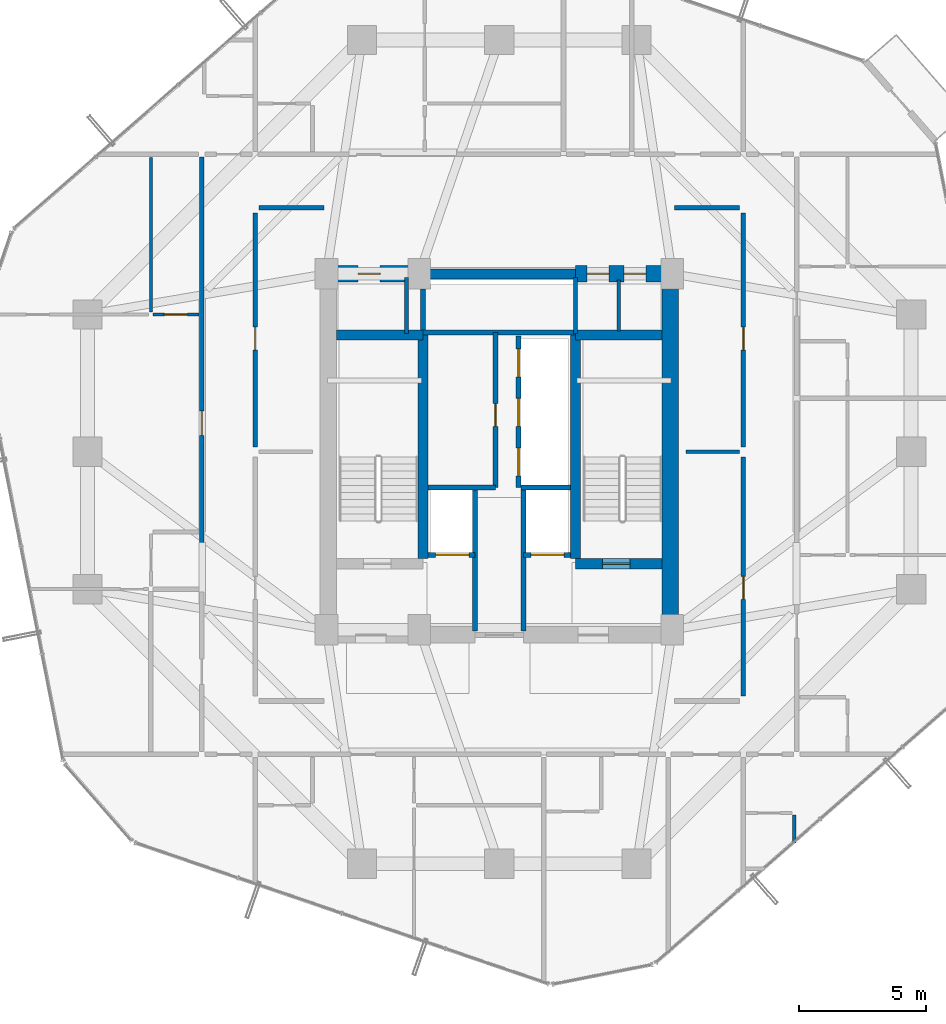
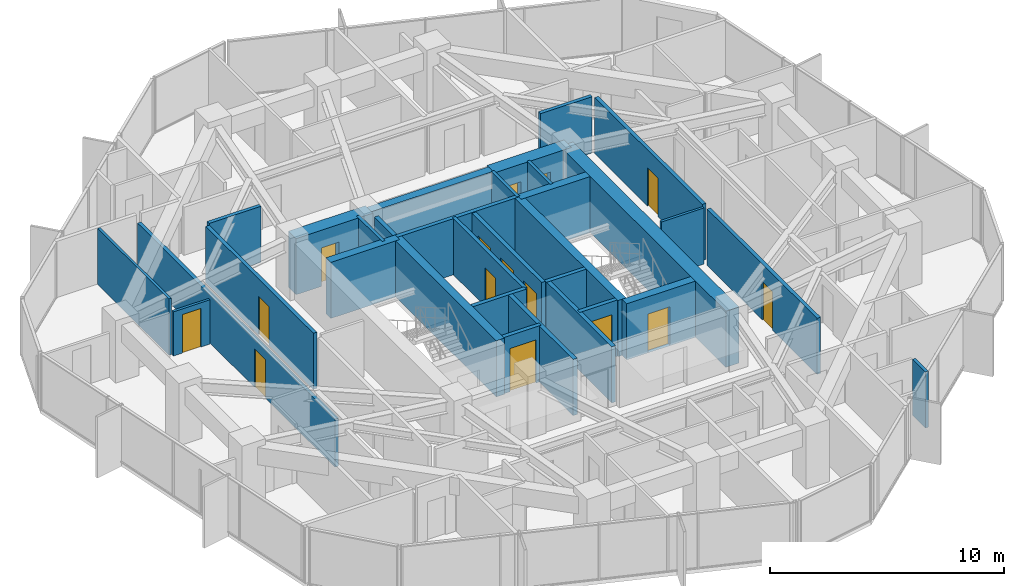
# One storey, part 32 of 36: 32 walls, 15 doors, 15 openings.
"""IFC4 building model written with IfcOpenShell, lengths in metres."""

import ifcopenshell
import ifcopenshell.guid

model = None  # the IFC model being written
_history = None  # IfcOwnerHistory: only IFC2X3 demands one
_inside = {}  # id of a spatial element -> (the spatial element, [elements in it])
_under = {}  # id of a project, library or spatial element -> (it, [spatial elements below it])
_declared = {}  # id of a project -> (the project, [libraries it declares])
_typed = {}  # id of a type object -> (the type object, [elements of that type])
_made_of = {}  # id of a material, layer set ... -> (it, [elements and type objects made of it])


def new_model(schema):
    """Start an empty IFC model of exactly this schema.

    Asked for "IFC4X3", IfcOpenShell would pick the latest addendum, in which some entities
    have other attributes; the version numbers below select the first issue.
    IFC2X3 requires an IfcOwnerHistory on every rooted entity: one is made here for all.
    """
    global model, _history
    if schema == "IFC4X3":
        model = ifcopenshell.file(schema_version=(4, 3, 0, 0))
    else:
        model = ifcopenshell.file(schema=schema)
    _inside.clear()
    _under.clear()
    _declared.clear()
    _typed.clear()
    _made_of.clear()
    _history = None
    if model.schema == "IFC2X3":
        org = make("IfcOrganization", Name="unknown")
        user = make(
            "IfcPersonAndOrganization",
            ThePerson=make("IfcPerson", FamilyName="unknown"),
            TheOrganization=org,
        )
        app = make(
            "IfcApplication",
            ApplicationDeveloper=org,
            Version="unknown",
            ApplicationFullName="unknown",
            ApplicationIdentifier="unknown",
        )
        _history = make(
            "IfcOwnerHistory",
            OwningUser=user,
            OwningApplication=app,
            ChangeAction="ADDED",
            CreationDate=0,
        )
    return model


def make(cls, **values):
    """One entity of the class cls with the attributes given. An attribute that is None is left unset."""
    return model.create_entity(
        cls, **{name: value for name, value in values.items() if value is not None}
    )


def rooted(cls, **values):
    """An entity with a GlobalId (a new one), such as an element, a storey or a relation."""
    return make(cls, GlobalId=ifcopenshell.guid.new(), OwnerHistory=_history, **values)


def si_unit(unit_type, name, prefix=None):
    """IfcSIUnit, for example si_unit("LENGTHUNIT", "METRE", prefix="MILLI")."""
    return make("IfcSIUnit", UnitType=unit_type, Prefix=prefix, Name=name)


def assignment(units):
    """IfcUnitAssignment: the units of a project."""
    return None if units is None else make("IfcUnitAssignment", Units=units)


def point(xyz):
    """IfcCartesianPoint."""
    return None if xyz is None else make("IfcCartesianPoint", Coordinates=xyz)


def direction(xyz):
    """IfcDirection."""
    return None if xyz is None else make("IfcDirection", DirectionRatios=xyz)


def frame(location, z_axis=None, x_axis=None):
    """IfcAxis2Placement3D, a coordinate frame: its origin and axes. An axis left out is left unset."""
    return make(
        "IfcAxis2Placement3D",
        Location=point(location),
        Axis=direction(z_axis),
        RefDirection=direction(x_axis),
    )


def frame_2d(location, x_axis=None):
    """IfcAxis2Placement2D, a coordinate frame in the plane: its origin and x axis."""
    return make(
        "IfcAxis2Placement2D", Location=point(location), RefDirection=direction(x_axis)
    )


def origin():
    """The frame at (0, 0, 0) with its axes left unset."""
    return frame((0.0, 0.0, 0.0))


def place(relative_to, where):
    """IfcLocalPlacement: puts the frame where relative to a parent placement (None: the world)."""
    return make(
        "IfcLocalPlacement", PlacementRelTo=relative_to, RelativePlacement=where
    )


def context(
    kind, dimensions, precision=None, world=None, true_north=None, identifier=None
):
    """IfcGeometricRepresentationContext, for example the 3D "Model" context."""
    return make(
        "IfcGeometricRepresentationContext",
        ContextIdentifier=identifier,
        ContextType=kind,
        CoordinateSpaceDimension=dimensions,
        Precision=precision,
        WorldCoordinateSystem=world,
        TrueNorth=true_north,
    )


def subcontext(parent, identifier, kind, view, scale=None):
    """IfcGeometricRepresentationSubContext, for example "Body" below "Model"."""
    return make(
        "IfcGeometricRepresentationSubContext",
        ContextIdentifier=identifier,
        ContextType=kind,
        ParentContext=parent,
        TargetScale=scale,
        TargetView=view,
    )


def project(units=None, contexts=None):
    """IfcProject with its units and contexts."""
    return rooted(
        "IfcProject",
        Name="project",
        RepresentationContexts=contexts,
        UnitsInContext=assignment(units),
    )


def spatial(cls, under=None, at=None, **own):
    """A site, building, storey or space (cls), placed at a placement, below another one or the project."""
    s = rooted(cls, ObjectPlacement=at, **own)
    if under is not None:
        _under.setdefault(under.id(), (under, []))[1].append(s)
    return s


def profile(cls, at=None, kind="AREA", **sizes):
    """A parametric profile (cls). Its sizes go by their IFC names, for example OverallWidth=200.0."""
    return make(cls, ProfileType=kind, Position=at, **sizes)


def rectangle(**sizes):
    """IfcRectangleProfileDef."""
    return profile("IfcRectangleProfileDef", **sizes)


def extrude(swept, where, along, depth):
    """IfcExtrudedAreaSolid: the profile swept, set in the frame where, extruded along a direction by depth."""
    return make(
        "IfcExtrudedAreaSolid",
        SweptArea=swept,
        Position=where,
        ExtrudedDirection=direction(along),
        Depth=depth,
    )


def shape(context_of_items, identifier, shape_type, items):
    """IfcShapeRepresentation: the items that make up one representation, for example the "Body"."""
    return make(
        "IfcShapeRepresentation",
        ContextOfItems=context_of_items,
        RepresentationIdentifier=identifier,
        RepresentationType=shape_type,
        Items=items,
    )


def source(mapping_origin, context_of_items, identifier, shape_type, items):
    """IfcRepresentationMap: a shape defined once, which mapped items show again and again."""
    return make(
        "IfcRepresentationMap",
        MappingOrigin=mapping_origin,
        MappedRepresentation=shape(context_of_items, identifier, shape_type, items),
    )


def transform(
    local_origin,
    x_axis=None,
    y_axis=None,
    z_axis=None,
    scale=None,
    scale2=None,
    scale3=None,
    uniform=True,
):
    """IfcCartesianTransformationOperator3D, or its non-uniform kind. x_axis, y_axis, z_axis: its Axis1, 2, 3."""
    if uniform:
        return make(
            "IfcCartesianTransformationOperator3D",
            Axis1=direction(x_axis),
            Axis2=direction(y_axis),
            LocalOrigin=point(local_origin),
            Scale=scale,
            Axis3=direction(z_axis),
        )
    return make(
        "IfcCartesianTransformationOperator3DnonUniform",
        Axis1=direction(x_axis),
        Axis2=direction(y_axis),
        LocalOrigin=point(local_origin),
        Scale=scale,
        Axis3=direction(z_axis),
        Scale2=scale2,
        Scale3=scale3,
    )


def mapped(mapping_source, mapping_target):
    """IfcMappedItem: shows the shape of a source again, moved by a transform."""
    return make(
        "IfcMappedItem", MappingSource=mapping_source, MappingTarget=mapping_target
    )


def material(Name=None, Category=None):
    """IfcMaterial."""
    return make("IfcMaterial", Name=Name, Category=Category)


def layer(
    of_material, thickness, ventilated=None, Name=None, Category=None, Priority=None
):
    """IfcMaterialLayer: one layer of a wall or slab, of a material (None: an air gap)."""
    return make(
        "IfcMaterialLayer",
        Material=of_material,
        LayerThickness=thickness,
        IsVentilated=ventilated,
        Name=Name,
        Category=Category,
        Priority=Priority,
    )


def layer_set(layers, Name=None):
    """IfcMaterialLayerSet."""
    return make("IfcMaterialLayerSet", MaterialLayers=layers, LayerSetName=Name)


def made_of(thing, what):
    """Note that an element or type object is made of a material, layer set ...; save() writes the relation."""
    if what is not None:
        _made_of.setdefault(what.id(), (what, []))[1].append(thing)
    return thing


def type_object(cls, material=None, **own):
    """A type object (cls), such as IfcWallType, which elements share."""
    return made_of(rooted(cls, **own), material)


def element(
    cls,
    number,
    at=None,
    inside=None,
    cuts=None,
    type_object=None,
    material=None,
    context=None,
    identifier="Body",
    shape_type=None,
    held_by="IfcProductDefinitionShape",
    body=None,
    shapes=None,
    **own,
):
    """One element of the class cls, such as IfcWall. Its Tag is "e" and its number.

    at: its placement. inside: the storey or other place that contains it. cuts: it is an
    opening in that element (IfcRelVoidsElement). A single representation is given by context,
    identifier, shape_type and body (its items); several are given by shapes. held_by: the class
    of the entity that holds the representations. save() writes the other relations.
    """
    e = rooted(cls, Tag="e%d" % number, ObjectPlacement=at, **own)
    if body is not None:
        shapes = [shape(context, identifier, shape_type, body)]
    if shapes is not None:
        e.Representation = make(held_by, Representations=shapes)
    if inside is not None:
        _inside.setdefault(inside.id(), (inside, []))[1].append(e)
    if cuts is not None:
        rooted(
            "IfcRelVoidsElement", RelatingBuildingElement=cuts, RelatedOpeningElement=e
        )
    if type_object is not None:
        _typed.setdefault(type_object.id(), (type_object, []))[1].append(e)
    return made_of(e, material)


def fill(opening, filler):
    """IfcRelFillsElement: the door or window that sits in an opening."""
    return rooted(
        "IfcRelFillsElement",
        RelatingOpeningElement=opening,
        RelatedBuildingElement=filler,
    )


def aggregate(whole, parts):
    """IfcRelAggregates: a whole, such as a stair, and the parts it consists of."""
    return rooted("IfcRelAggregates", RelatingObject=whole, RelatedObjects=parts)


def save(model, path):
    """Write the relations noted so far, then the file.

    IfcRelAggregates (storeys below a building ...), IfcRelContainedInSpatialStructure (elements
    in a storey), IfcRelDefinesByType, IfcRelAssociatesMaterial and IfcRelDeclares: one each for
    every whole, place, type object, material and project.
    """
    for whole, parts in _under.values():
        aggregate(whole, parts)
    for where, things in _inside.values():
        rooted(
            "IfcRelContainedInSpatialStructure",
            RelatedElements=things,
            RelatingStructure=where,
        )
    for kind, things in _typed.values():
        rooted("IfcRelDefinesByType", RelatedObjects=things, RelatingType=kind)
    for what, things in _made_of.values():
        rooted("IfcRelAssociatesMaterial", RelatedObjects=things, RelatingMaterial=what)
    for by, libraries in _declared.values():
        rooted("IfcRelDeclares", RelatingContext=by, RelatedDefinitions=libraries)
    model.write(path)


model = new_model("IFC4")

# Units and contexts
model_context = context("Model", 3, precision=1e-05, world=origin(), true_north=direction((0.0, 1.0)))
body_context = subcontext(model_context, "Body", "Model", "MODEL_VIEW")
ifc_project = project(units=[si_unit("LENGTHUNIT", "METRE"), si_unit("AREAUNIT", "SQUARE_METRE"), si_unit("VOLUMEUNIT", "CUBIC_METRE"), si_unit("PLANEANGLEUNIT", "RADIAN"), si_unit("MASSUNIT", "GRAM", prefix="KILO")], contexts=[model_context])

# Site, building, storey
site_placement = place(None, origin())
site = spatial("IfcSite", under=ifc_project, at=site_placement, CompositionType="ELEMENT")
building_placement = place(site_placement, origin())
building = spatial("IfcBuilding", under=site, at=building_placement, Name="Veraguas Prism Commons", CompositionType="ELEMENT")
storey_placement = place(building_placement, frame((0.0, 0.0, 166.300048828125)))
storey = spatial("IfcBuildingStorey", under=building, at=storey_placement, Name="L47", CompositionType="ELEMENT", Elevation=166.300048828125)

# Wall
ifc_material_1 = material(Name="Concrete C50/60", Category="concrete")
ifc_layer_1 = layer(ifc_material_1, 0.39990234375, Name="Clinic and Mid Core Shear Wall RC 400", Category="concrete")
ifc_layer_set_1 = layer_set([ifc_layer_1], Name="Concrete C50/60")
wall_type_1 = type_object("IfcWallType", Name="Clinic and Mid Core Shear Wall RC 400", PredefinedType="SHEAR", material=ifc_layer_set_1)
wall_1_placement = place(storey_placement, frame((21.0, 31.0, 0.0), z_axis=(0.0, 0.0, 1.0), x_axis=(1.0, 0.0, 0.0)))
element("IfcWall", 1, at=wall_1_placement, inside=storey, type_object=wall_type_1, Name="High-Rise Lift Bank Front Shear Wall L47", PredefinedType="SHEAR", context=body_context, shape_type="SweptSolid", body=[
    extrude(rectangle(XDim=6.0, YDim=0.39990234375, at=frame_2d((3.0, 0.0))), origin(), (0.0, 0.0, 1.0), 2.929931640625),
])

# Wall, opening, door
wall_2_placement = place(storey_placement, frame((27.0, 19.60009765625, 0.0), z_axis=(0.0, 0.0, 1.0), x_axis=(1.0, 0.0, 0.0)))
wall_2 = element("IfcWall", 2, at=wall_2_placement, inside=storey, type_object=wall_type_1, Name="Stair ST-02 South Shear Wall L47", PredefinedType="SHEAR", context=body_context, shape_type="SweptSolid", body=[
    extrude(rectangle(XDim=3.39990234375, YDim=0.39990234375, at=frame_2d((1.699951171875, 0.0))), origin(), (0.0, 0.0, 1.0), 2.929931640625),
])
opening_1_placement = place(wall_2_placement, frame((1.050048828125, 0.0, 0.0)))
opening_1 = element("IfcOpeningElement", 3, at=opening_1_placement, cuts=wall_2, Name="Opening DR-05", PredefinedType="OPENING", context=body_context, shape_type="SweptSolid", body=[
    extrude(rectangle(XDim=1.10009765625, YDim=2.030029296875, at=frame_2d((0.550048828125, 1.01513671875))), frame((0.0, 0.2099609375, 0.0), z_axis=(0.0, -1.0, 0.0), x_axis=(1.0, 0.0, 0.0)), (0.0, 0.0, 1.0), 0.419921875),
])
ifc_material_2 = material(Name="Steel fire-rated door assembly", Category="steel")
door_type_1 = type_object("IfcDoorType", Name="Protected Stair and Refuge Fire Door 1100x2030", OperationType="NOTDEFINED", PredefinedType="DOOR", material=ifc_material_2)
shared_shape_1 = source(origin(), body_context, "Body", "SweptSolid", [
    extrude(rectangle(XDim=1.10009765625, YDim=2.030029296875, at=frame_2d((0.550048828125, 1.01513671875))), frame((0.0, 0.02490234375, 0.0), z_axis=(0.0, -1.0, 0.0), x_axis=(1.0, 0.0, 0.0)), (0.0, 0.0, 1.0), 0.050048828125),
])
door_1_placement = place(opening_1_placement, origin())
door_1 = element("IfcDoor", 4, at=door_1_placement, inside=storey, type_object=door_type_1, Name="Stair ST-02 Enclosure Door L47", OperationType="SINGLE_SWING_LEFT", OverallHeight=2.030029296875, OverallWidth=1.10009765625, PredefinedType="DOOR", context=body_context, shape_type="MappedRepresentation", body=[
    mapped(shared_shape_1, transform((0.0, 0.0, 0.0), scale=1.0)),
])
fill(opening_1, door_1)

# Walls
for number, where, z_axis, x_axis, name in (
    (5, (21.0, 19.800048828125, 0.0), (0.0, 0.0, 1.0), (0.0, 1.0, 0.0), "Stair ST-01 Inner Shear Wall L47"),
    (6, (27.0, 19.800048828125, 0.0), (0.0, 0.0, 1.0), (0.0, 1.0, 0.0), "Stair ST-02 Inner Shear Wall L47"),
):
    element("IfcWall", number, at=place(storey_placement, frame(where, z_axis=z_axis, x_axis=x_axis)), inside=storey, type_object=wall_type_1, Name=name, PredefinedType="SHEAR", context=body_context, shape_type="SweptSolid", body=[
        extrude(rectangle(XDim=8.800048828125, YDim=0.39990234375, at=frame_2d((4.39990234375, 0.0))), origin(), (0.0, 0.0, 1.0), 2.929931640625),
    ])
for number, where, z_axis, x_axis, name in (
    (7, (17.60009765625, 28.60009765625, 0.0), (0.0, 0.0, 1.0), (1.0, 0.0, 0.0), "Stair ST-01 North Shear Wall L47"),
    (8, (27.0, 28.60009765625, 0.0), (0.0, 0.0, 1.0), (1.0, 0.0, 0.0), "Stair ST-02 North Shear Wall L47"),
):
    element("IfcWall", number, at=place(storey_placement, frame(where, z_axis=z_axis, x_axis=x_axis)), inside=storey, type_object=wall_type_1, Name=name, PredefinedType="SHEAR", context=body_context, shape_type="SweptSolid", body=[
        extrude(rectangle(XDim=3.39990234375, YDim=0.39990234375, at=frame_2d((1.699951171875, 0.0))), origin(), (0.0, 0.0, 1.0), 2.929931640625),
    ])
ifc_material_3 = material(Name="Concrete C55/67", Category="concrete")
ifc_layer_2 = layer(ifc_material_3, 0.64990234375, Name="Core Outer Shear Wall Mid RC 650", Category="concrete")
ifc_layer_set_2 = layer_set([ifc_layer_2], Name="Concrete C55/67")
wall_type_2 = type_object("IfcWallType", Name="Core Outer Shear Wall Mid RC 650", PredefinedType="SHEAR", material=ifc_layer_set_2)
wall_3_placement = place(storey_placement, frame((30.72509765625, 16.800048828125, 0.0), z_axis=(0.0, 0.0, 1.0), x_axis=(0.0, 1.0, 0.0)))
element("IfcWall", 9, at=wall_3_placement, inside=storey, type_object=wall_type_2, Name="Central Core East Shear Wall L47", PredefinedType="SHEAR", context=body_context, shape_type="SweptSolid", body=[
    extrude(rectangle(XDim=14.199951171875, YDim=0.64990234375, at=frame_2d((7.10009765625, 0.0))), origin(), (0.0, 0.0, 1.0), 2.929931640625),
])

# Wall, opening, door
wall_4_placement = place(storey_placement, frame((17.199951171875, 31.0, 0.0), z_axis=(0.0, 0.0, 1.0), x_axis=(1.0, 0.0, 0.0)))
wall_4 = element("IfcWall", 10, at=wall_4_placement, inside=storey, type_object=wall_type_2, Name="Central Core North-West Shear Wall L47", PredefinedType="SHEAR", context=body_context, shape_type="SweptSolid", body=[
    extrude(rectangle(XDim=3.800048828125, YDim=0.64990234375, at=frame_2d((1.89990234375, 0.0))), origin(), (0.0, 0.0, 1.0), 2.929931640625),
])
opening_2_placement = place(wall_4_placement, frame((1.25, 0.0, 0.0)))
opening_2 = element("IfcOpeningElement", 11, at=opening_2_placement, cuts=wall_4, Name="Opening DR-12", PredefinedType="OPENING", context=body_context, shape_type="SweptSolid", body=[
    extrude(rectangle(XDim=0.860107421875, YDim=2.010009765625, at=frame_2d((0.43017578125, 1.0048828125))), frame((0.0, 0.3349609375, 0.0), z_axis=(0.0, -1.0, 0.0), x_axis=(1.0, 0.0, 0.0)), (0.0, 0.0, 1.0), 0.669921875),
])
door_type_2 = type_object("IfcDoorType", Name="Core WC Fire Door 860x2010", OperationType="NOTDEFINED", PredefinedType="DOOR", material=ifc_material_2)
shared_shape_2 = source(origin(), body_context, "Body", "SweptSolid", [
    extrude(rectangle(XDim=0.860107421875, YDim=2.010009765625, at=frame_2d((0.43017578125, 1.0048828125))), frame((0.0, 0.02490234375, 0.0), z_axis=(0.0, -1.0, 0.0), x_axis=(1.0, 0.0, 0.0)), (0.0, 0.0, 1.0), 0.050048828125),
])
door_2_placement = place(opening_2_placement, origin())
door_2 = element("IfcDoor", 12, at=door_2_placement, inside=storey, type_object=door_type_2, Name="Core NW Service Door L47", OperationType="SINGLE_SWING_LEFT", OverallHeight=2.010009765625, OverallWidth=0.860107421875, PredefinedType="DOOR", context=body_context, shape_type="MappedRepresentation", body=[
    mapped(shared_shape_2, transform((0.0, 0.0, 0.0), scale=1.0)),
])
fill(opening_2, door_2)

# Wall, openings, doors
wall_5_placement = place(storey_placement, frame((27.0, 31.0, 0.0), z_axis=(0.0, 0.0, 1.0), x_axis=(1.0, 0.0, 0.0)))
wall_5 = element("IfcWall", 13, at=wall_5_placement, inside=storey, type_object=wall_type_2, Name="Central Core North-East Shear Wall L47", PredefinedType="SHEAR", context=body_context, shape_type="SweptSolid", body=[
    extrude(rectangle(XDim=3.800048828125, YDim=0.64990234375, at=frame_2d((1.89990234375, 0.0))), origin(), (0.0, 0.0, 1.0), 2.929931640625),
])
opening_3_placement = place(wall_5_placement, frame((0.449951171875, 0.0, 0.0)))
opening_3 = element("IfcOpeningElement", 14, at=opening_3_placement, cuts=wall_5, Name="Opening DR-12", PredefinedType="OPENING", context=body_context, shape_type="SweptSolid", body=[
    extrude(rectangle(XDim=0.860107421875, YDim=2.010009765625, at=frame_2d((0.43017578125, 1.0048828125))), frame((0.0, 0.3349609375, 0.0), z_axis=(0.0, -1.0, 0.0), x_axis=(1.0, 0.0, 0.0)), (0.0, 0.0, 1.0), 0.669921875),
])
opening_4_placement = place(wall_5_placement, frame((1.89990234375, 0.0, 0.0)))
opening_4 = element("IfcOpeningElement", 15, at=opening_4_placement, cuts=wall_5, Name="Opening DR-12", PredefinedType="OPENING", context=body_context, shape_type="SweptSolid", body=[
    extrude(rectangle(XDim=0.860107421875, YDim=2.010009765625, at=frame_2d((0.43017578125, 1.0048828125))), frame((0.0, 0.3349609375, 0.0), z_axis=(0.0, -1.0, 0.0), x_axis=(1.0, 0.0, 0.0)), (0.0, 0.0, 1.0), 0.669921875),
])
door_3_placement = place(opening_3_placement, origin())
door_3 = element("IfcDoor", 16, at=door_3_placement, inside=storey, type_object=door_type_2, Name="Core NE Room A Door L47", OperationType="SINGLE_SWING_RIGHT", OverallHeight=2.010009765625, OverallWidth=0.860107421875, PredefinedType="DOOR", context=body_context, shape_type="MappedRepresentation", body=[
    mapped(shared_shape_2, transform((0.0, 0.0, 0.0), scale=1.0)),
])
fill(opening_3, door_3)
door_4_placement = place(opening_4_placement, origin())
door_4 = element("IfcDoor", 17, at=door_4_placement, inside=storey, type_object=door_type_2, Name="Core NE Room B Door L47", OperationType="SINGLE_SWING_LEFT", OverallHeight=2.010009765625, OverallWidth=0.860107421875, PredefinedType="DOOR", context=body_context, shape_type="MappedRepresentation", body=[
    mapped(shared_shape_2, transform((0.0, 0.0, 0.0), scale=1.0)),
])
fill(opening_4, door_4)

# Wall, opening, door
ifc_material_4 = material(Name="Autoclaved aerated masonry block 10 MPa", Category="masonry")
ifc_layer_3 = layer(ifc_material_4, 0.179931640625, Name="Corridor and Inter-Tenancy Partition 180", Category="masonry")
ifc_layer_set_3 = layer_set([ifc_layer_3], Name="Autoclaved aerated masonry block 10 MPa")
wall_type_3 = type_object("IfcWallType", Name="Corridor and Inter-Tenancy Partition 180", PredefinedType="PARTITIONING", material=ifc_layer_set_3)
wall_6_placement = place(storey_placement, frame((23.85009765625, 22.60009765625, 0.0), z_axis=(0.0, 0.0, 1.0), x_axis=(0.0, 1.0, 0.0)))
wall_6 = element("IfcWall", 18, at=wall_6_placement, inside=storey, type_object=wall_type_3, Name="Reading Room Partition L47", PredefinedType="PARTITIONING", context=body_context, shape_type="SweptSolid", body=[
    extrude(rectangle(XDim=6.099853515625, YDim=0.179931640625, at=frame_2d((3.0498046875, 0.0))), origin(), (0.0, 0.0, 1.0), 2.929931640625),
])
opening_5_placement = place(wall_6_placement, frame((2.39990234375, 0.0, 0.0)))
opening_5 = element("IfcOpeningElement", 19, at=opening_5_placement, cuts=wall_6, Name="Opening DR-14", PredefinedType="OPENING", context=body_context, shape_type="SweptSolid", body=[
    extrude(rectangle(XDim=0.89990234375, YDim=2.010009765625, at=frame_2d((0.449951171875, 1.0048828125))), frame((0.0, 0.099853515625, 0.0), z_axis=(0.0, -1.0, 0.0), x_axis=(1.0, 0.0, 0.0)), (0.0, 0.0, 1.0), 0.199951171875),
])
door_type_3 = type_object("IfcDoorType", Name="Core Service Room Fire Door 900x2010", OperationType="NOTDEFINED", PredefinedType="DOOR", material=ifc_material_2)
shared_shape_3 = source(origin(), body_context, "Body", "SweptSolid", [
    extrude(rectangle(XDim=0.89990234375, YDim=2.010009765625, at=frame_2d((0.449951171875, 1.0048828125))), frame((0.0, 0.02490234375, 0.0), z_axis=(0.0, -1.0, 0.0), x_axis=(1.0, 0.0, 0.0)), (0.0, 0.0, 1.0), 0.050048828125),
])
door_5_placement = place(opening_5_placement, origin())
door_5 = element("IfcDoor", 20, at=door_5_placement, inside=storey, type_object=door_type_3, Name="Reading Room Door L47", OperationType="SINGLE_SWING_RIGHT", OverallHeight=2.010009765625, OverallWidth=0.89990234375, PredefinedType="DOOR", context=body_context, shape_type="MappedRepresentation", body=[
    mapped(shared_shape_3, transform((0.0, 0.0, 0.0), scale=1.0)),
])
fill(opening_5, door_5)

wall_7_placement = place(storey_placement, frame((14.39990234375, 24.199951171875, 0.0), z_axis=(0.0, 0.0, 1.0), x_axis=(0.0, 1.0, 0.0)))
wall_7 = element("IfcWall", 21, at=wall_7_placement, inside=storey, type_object=wall_type_3, Name="WL-L47-IRW2", PredefinedType="PARTITIONING", context=body_context, shape_type="SweptSolid", body=[
    extrude(rectangle(XDim=9.199951171875, YDim=0.179931640625, at=frame_2d((4.60009765625, 0.0))), origin(), (0.0, 0.0, 1.0), 2.929931640625),
])
opening_6_placement = place(wall_7_placement, frame((3.800048828125, 0.0, 0.0)))
opening_6 = element("IfcOpeningElement", 22, at=opening_6_placement, cuts=wall_7, Name="Opening DR-14", PredefinedType="OPENING", context=body_context, shape_type="SweptSolid", body=[
    extrude(rectangle(XDim=0.89990234375, YDim=2.010009765625, at=frame_2d((0.449951171875, 1.0048828125))), frame((0.0, 0.099853515625, 0.0), z_axis=(0.0, -1.0, 0.0), x_axis=(1.0, 0.0, 0.0)), (0.0, 0.0, 1.0), 0.199951171875),
])
door_6_placement = place(opening_6_placement, origin())
door_6 = element("IfcDoor", 23, at=door_6_placement, inside=storey, type_object=door_type_3, Name="Co-op Cycle and Pram Store Door L47", OperationType="SINGLE_SWING_RIGHT", OverallHeight=2.010009765625, OverallWidth=0.89990234375, PredefinedType="DOOR", context=body_context, shape_type="MappedRepresentation", body=[
    mapped(shared_shape_3, transform((0.0, 0.0, 0.0), scale=1.0)),
])
fill(opening_6, door_6)

wall_8_placement = place(storey_placement, frame((33.60009765625, 14.39990234375, 0.0), z_axis=(0.0, 0.0, 1.0), x_axis=(0.0, 1.0, 0.0)))
wall_8 = element("IfcWall", 24, at=wall_8_placement, inside=storey, type_object=wall_type_3, Name="WL-L47-IRE1", PredefinedType="PARTITIONING", context=body_context, shape_type="SweptSolid", body=[
    extrude(rectangle(XDim=9.400146484375, YDim=0.179931640625, at=frame_2d((4.7001953125, 0.0))), origin(), (0.0, 0.0, 1.0), 2.929931640625),
])
opening_7_placement = place(wall_8_placement, frame((3.800048828125, 0.0, 0.0)))
opening_7 = element("IfcOpeningElement", 25, at=opening_7_placement, cuts=wall_8, Name="Opening DR-14", PredefinedType="OPENING", context=body_context, shape_type="SweptSolid", body=[
    extrude(rectangle(XDim=0.89990234375, YDim=2.010009765625, at=frame_2d((0.449951171875, 1.0048828125))), frame((0.0, 0.099853515625, 0.0), z_axis=(0.0, -1.0, 0.0), x_axis=(1.0, 0.0, 0.0)), (0.0, 0.0, 1.0), 0.199951171875),
])
door_7_placement = place(opening_7_placement, origin())
door_7 = element("IfcDoor", 26, at=door_7_placement, inside=storey, type_object=door_type_3, Name="Shared Laundry Annex Door L47", OperationType="SINGLE_SWING_LEFT", OverallHeight=2.010009765625, OverallWidth=0.89990234375, PredefinedType="DOOR", context=body_context, shape_type="MappedRepresentation", body=[
    mapped(shared_shape_3, transform((0.0, 0.0, 0.0), scale=1.0)),
])
fill(opening_7, door_7)

wall_9_placement = place(storey_placement, frame((33.60009765625, 24.199951171875, 0.0), z_axis=(0.0, 0.0, 1.0), x_axis=(0.0, 1.0, 0.0)))
wall_9 = element("IfcWall", 27, at=wall_9_placement, inside=storey, type_object=wall_type_3, Name="WL-L47-IRE2", PredefinedType="PARTITIONING", context=body_context, shape_type="SweptSolid", body=[
    extrude(rectangle(XDim=9.199951171875, YDim=0.179931640625, at=frame_2d((4.60009765625, 0.0))), origin(), (0.0, 0.0, 1.0), 2.929931640625),
])
opening_8_placement = place(wall_9_placement, frame((3.800048828125, 0.0, 0.0)))
opening_8 = element("IfcOpeningElement", 28, at=opening_8_placement, cuts=wall_9, Name="Opening DR-14", PredefinedType="OPENING", context=body_context, shape_type="SweptSolid", body=[
    extrude(rectangle(XDim=0.89990234375, YDim=2.010009765625, at=frame_2d((0.449951171875, 1.0048828125))), frame((0.0, 0.099853515625, 0.0), z_axis=(0.0, -1.0, 0.0), x_axis=(1.0, 0.0, 0.0)), (0.0, 0.0, 1.0), 0.199951171875),
])
door_8_placement = place(opening_8_placement, origin())
door_8 = element("IfcDoor", 29, at=door_8_placement, inside=storey, type_object=door_type_3, Name="Community Reading Alcove Door L47", OperationType="SINGLE_SWING_RIGHT", OverallHeight=2.010009765625, OverallWidth=0.89990234375, PredefinedType="DOOR", context=body_context, shape_type="MappedRepresentation", body=[
    mapped(shared_shape_3, transform((0.0, 0.0, 0.0), scale=1.0)),
])
fill(opening_8, door_8)

# Walls
for number, where, z_axis, x_axis, name in (
    (30, (14.550048828125, 33.60009765625, 0.0), (0.0, 0.0, 1.0), (1.0, 0.0, 0.0), "WL-L47-IRWN"),
    (31, (30.89990234375, 33.60009765625, 0.0), (0.0, 0.0, 1.0), (1.0, 0.0, 0.0), "WL-L47-IREN"),
):
    element("IfcWall", number, at=place(storey_placement, frame(where, z_axis=z_axis, x_axis=x_axis)), inside=storey, type_object=wall_type_3, Name=name, PredefinedType="PARTITIONING", context=body_context, shape_type="SweptSolid", body=[
        extrude(rectangle(XDim=2.550048828125, YDim=0.179931640625, at=frame_2d((1.27490234375, 0.0))), origin(), (0.0, 0.0, 1.0), 2.929931640625),
    ])

# Wall, opening, door
wall_10_placement = place(storey_placement, frame((12.300048828125, 18.7099609375, 0.0), z_axis=(0.0, 0.0, 1.0), x_axis=(0.0, 1.0, 0.0)))
wall_10 = element("IfcWall", 32, at=wall_10_placement, inside=storey, type_object=wall_type_3, Name="WL-L47-PT030", PredefinedType="PARTITIONING", context=body_context, shape_type="SweptSolid", body=[
    extrude(rectangle(XDim=16.880126953125, YDim=0.179931640625, at=frame_2d((8.43994140625, 0.0))), origin(), (0.0, 0.0, 1.0), 2.510009765625),
])
opening_9_placement = place(wall_10_placement, frame((5.93994140625, 0.0, 0.0)))
opening_9 = element("IfcOpeningElement", 33, at=opening_9_placement, cuts=wall_10, Name="Opening DR-01", PredefinedType="OPENING", context=body_context, shape_type="SweptSolid", body=[
    extrude(rectangle(XDim=0.949951171875, YDim=2.02001953125, at=frame_2d((0.47509765625, 1.010009765625))), frame((0.0, 0.099853515625, 0.0), z_axis=(0.0, -1.0, 0.0), x_axis=(1.0, 0.0, 0.0)), (0.0, 0.0, 1.0), 0.199951171875),
])
ifc_material_5 = material(Name="Anodised aluminium EN AW-6063 T6", Category="aluminium")
door_type_4 = type_object("IfcDoorType", Name="Apartment Entrance Fire Door 950x2020", OperationType="NOTDEFINED", PredefinedType="DOOR", material=ifc_material_5)
shared_shape_4 = source(origin(), body_context, "Body", "SweptSolid", [
    extrude(rectangle(XDim=0.949951171875, YDim=2.02001953125, at=frame_2d((0.47509765625, 1.010009765625))), frame((0.0, 0.02490234375, 0.0), z_axis=(0.0, -1.0, 0.0), x_axis=(1.0, 0.0, 0.0)), (0.0, 0.0, 1.0), 0.050048828125),
])
door_9_placement = place(opening_9_placement, origin())
door_9 = element("IfcDoor", 34, at=door_9_placement, inside=storey, type_object=door_type_4, Name="Flat 47D Entrance Door", OperationType="SINGLE_SWING_LEFT", OverallHeight=2.02001953125, OverallWidth=0.949951171875, PredefinedType="DOOR", context=body_context, shape_type="MappedRepresentation", body=[
    mapped(shared_shape_4, transform((0.0, 0.0, 0.0), scale=1.0)),
])
fill(opening_9, door_9)

# Wall
ifc_material_6 = material(Name="Lightweight acoustic gypsum board")
ifc_layer_4 = layer(ifc_material_6, 0.125, Name="Internal Apartment Room Partition 125")
ifc_layer_set_4 = layer_set([ifc_layer_4], Name="Lightweight acoustic gypsum board")
wall_type_4 = type_object("IfcWallType", Name="Internal Apartment Room Partition 125", PredefinedType="PARTITIONING", material=ifc_layer_set_4)
wall_11_placement = place(storey_placement, frame((31.35009765625, 24.0, 0.0), z_axis=(0.0, 0.0, 1.0), x_axis=(1.0, 0.0, 0.0)))
element("IfcWall", 35, at=wall_11_placement, inside=storey, type_object=wall_type_4, Name="WL-L47-IREM", PredefinedType="PARTITIONING", context=body_context, shape_type="SweptSolid", body=[
    extrude(rectangle(XDim=2.099853515625, YDim=0.125, at=frame_2d((1.0498046875, 0.0))), origin(), (0.0, 0.0, 1.0), 2.929931640625),
])

# Wall, opening, door
wall_12_placement = place(storey_placement, frame((12.179931640625, 29.39990234375, 0.0), z_axis=(0.0, 0.0, 1.0), x_axis=(-1.0, 0.0, 0.0)))
wall_12 = element("IfcWall", 36, at=wall_12_placement, inside=storey, type_object=wall_type_4, Name="WL-L47-PT036", PredefinedType="PARTITIONING", context=body_context, shape_type="SweptSolid", body=[
    extrude(rectangle(XDim=1.800048828125, YDim=0.125, at=frame_2d((0.89990234375, 0.0))), origin(), (0.0, 0.0, 1.0), 2.307861328125),
])
opening_10_placement = place(wall_12_placement, frame((0.449951171875, 0.0, 0.0)))
opening_10 = element("IfcOpeningElement", 37, at=opening_10_placement, cuts=wall_12, Name="Opening DR-02", PredefinedType="OPENING", context=body_context, shape_type="SweptSolid", body=[
    extrude(rectangle(XDim=0.89990234375, YDim=2.010009765625, at=frame_2d((0.449951171875, 1.0048828125))), frame((0.0, 0.072509765625, 0.0), z_axis=(0.0, -1.0, 0.0), x_axis=(1.0, 0.0, 0.0)), (0.0, 0.0, 1.0), 0.14501953125),
])
ifc_material_7 = material(Name="Timber solid core hardwood", Category="wood")
door_type_5 = type_object("IfcDoorType", Name="Internal Habitable Room Door 900x2010", OperationType="NOTDEFINED", PredefinedType="DOOR", material=ifc_material_7)
door_10_placement = place(opening_10_placement, origin())
door_10 = element("IfcDoor", 38, at=door_10_placement, inside=storey, type_object=door_type_5, Name="Flat 47D Kitchen Door", OperationType="SINGLE_SWING_RIGHT", OverallHeight=2.010009765625, OverallWidth=0.89990234375, PredefinedType="DOOR", context=body_context, shape_type="MappedRepresentation", body=[
    mapped(shared_shape_3, transform((0.0, 0.0, 0.0), scale=1.0)),
])
fill(opening_10, door_10)

# Wall
wall_13_placement = place(storey_placement, frame((10.300048828125, 29.5, 0.0), z_axis=(0.0, 0.0, 1.0), x_axis=(0.0, 1.0, 0.0)))
element("IfcWall", 39, at=wall_13_placement, inside=storey, type_object=wall_type_4, Name="WL-L47-PT037", PredefinedType="PARTITIONING", context=body_context, shape_type="SweptSolid", body=[
    extrude(rectangle(XDim=6.080078125, YDim=0.125, at=frame_2d((3.0400390625, 0.0))), origin(), (0.0, 0.0, 1.0), 2.929931640625),
])

# Wall, opening, door
ifc_layer_5 = layer(ifc_material_4, 0.199951171875, Name="Rated Shaft and Lobby Block Wall 200", Category="masonry")
ifc_layer_set_5 = layer_set([ifc_layer_5], Name="Autoclaved aerated masonry block 10 MPa")
wall_type_5 = type_object("IfcWallType", Name="Rated Shaft and Lobby Block Wall 200", PredefinedType="SOLIDWALL", material=ifc_layer_set_5)
wall_14_placement = place(storey_placement, frame((21.199951171875, 19.949951171875, 0.0), z_axis=(0.0, 0.0, 1.0), x_axis=(1.0, 0.0, 0.0)))
wall_14 = element("IfcWall", 40, at=wall_14_placement, inside=storey, type_object=wall_type_5, Name="Firefighting Lift FFL-1 Front Wall L47", PredefinedType="SOLIDWALL", context=body_context, shape_type="SweptSolid", body=[
    extrude(rectangle(XDim=1.85009765625, YDim=0.199951171875, at=frame_2d((0.925048828125, 0.0))), origin(), (0.0, 0.0, 1.0), 2.929931640625),
])
opening_11_placement = place(wall_14_placement, frame((0.300048828125, 0.0, 0.0)))
opening_11 = element("IfcOpeningElement", 41, at=opening_11_placement, cuts=wall_14, Name="Opening LD-02", PredefinedType="OPENING", context=body_context, shape_type="SweptSolid", body=[
    extrude(rectangle(XDim=1.300048828125, YDim=2.25, at=frame_2d((0.64990234375, 1.125))), frame((0.0, 0.10986328125, 0.0), z_axis=(0.0, -1.0, 0.0), x_axis=(1.0, 0.0, 0.0)), (0.0, 0.0, 1.0), 0.219970703125),
])
ifc_material_8 = material(Name="Stainless steel AISI 316", Category="steel")
door_type_6 = type_object("IfcDoorType", Name="Firefighting Lift Sliding Landing Door 1300x2250", OperationType="NOTDEFINED", PredefinedType="DOOR", material=ifc_material_8)
shared_shape_5 = source(origin(), body_context, "Body", "SweptSolid", [
    extrude(rectangle(XDim=1.300048828125, YDim=2.25, at=frame_2d((0.64990234375, 1.125))), frame((0.0, 0.02490234375, 0.0), z_axis=(0.0, -1.0, 0.0), x_axis=(1.0, 0.0, 0.0)), (0.0, 0.0, 1.0), 0.050048828125),
])
door_11_placement = place(opening_11_placement, origin())
door_11 = element("IfcDoor", 42, at=door_11_placement, inside=storey, type_object=door_type_6, Name="Firefighting Lift FFL-1 Landing Door L47", OperationType="SLIDING_TO_LEFT", OverallHeight=2.25, OverallWidth=1.300048828125, PredefinedType="DOOR", context=body_context, shape_type="MappedRepresentation", body=[
    mapped(shared_shape_5, transform((0.0, 0.0, 0.0), scale=1.0)),
])
fill(opening_11, door_11)

wall_15_placement = place(storey_placement, frame((24.949951171875, 19.949951171875, 0.0), z_axis=(0.0, 0.0, 1.0), x_axis=(1.0, 0.0, 0.0)))
wall_15 = element("IfcWall", 43, at=wall_15_placement, inside=storey, type_object=wall_type_5, Name="Firefighting Lift FFL-2 Front Wall L47", PredefinedType="SOLIDWALL", context=body_context, shape_type="SweptSolid", body=[
    extrude(rectangle(XDim=1.85009765625, YDim=0.199951171875, at=frame_2d((0.925048828125, 0.0))), origin(), (0.0, 0.0, 1.0), 2.929931640625),
])
opening_12_placement = place(wall_15_placement, frame((0.300048828125, 0.0, 0.0)))
opening_12 = element("IfcOpeningElement", 44, at=opening_12_placement, cuts=wall_15, Name="Opening LD-02", PredefinedType="OPENING", context=body_context, shape_type="SweptSolid", body=[
    extrude(rectangle(XDim=1.300048828125, YDim=2.25, at=frame_2d((0.64990234375, 1.125))), frame((0.0, 0.10986328125, 0.0), z_axis=(0.0, -1.0, 0.0), x_axis=(1.0, 0.0, 0.0)), (0.0, 0.0, 1.0), 0.219970703125),
])
door_12_placement = place(opening_12_placement, origin())
door_12 = element("IfcDoor", 45, at=door_12_placement, inside=storey, type_object=door_type_6, Name="Firefighting Lift FFL-2 Front Wall L47", OperationType="SLIDING_TO_LEFT", OverallHeight=2.25, OverallWidth=1.300048828125, PredefinedType="DOOR", context=body_context, shape_type="MappedRepresentation", body=[
    mapped(shared_shape_5, transform((0.0, 0.0, 0.0), scale=1.0)),
])
fill(opening_12, door_12)

# Walls
for number, where, z_axis, x_axis, name in (
    (46, (23.050048828125, 16.949951171875, 0.0), (0.0, 0.0, 1.0), (0.0, 1.0, 0.0), "West FF Lobby Divider Wall L47"),
    (47, (24.949951171875, 16.949951171875, 0.0), (0.0, 0.0, 1.0), (0.0, 1.0, 0.0), "East FF Lobby Divider Wall L47"),
):
    element("IfcWall", number, at=place(storey_placement, frame(where, z_axis=z_axis, x_axis=x_axis)), inside=storey, type_object=wall_type_5, Name=name, PredefinedType="SOLIDWALL", context=body_context, shape_type="SweptSolid", body=[
        extrude(rectangle(XDim=5.60009765625, YDim=0.199951171875, at=frame_2d((2.800048828125, 0.0))), origin(), (0.0, 0.0, 1.0), 2.929931640625),
    ])
wall_16_placement = place(storey_placement, frame((21.199951171875, 22.60009765625, 0.0), z_axis=(0.0, 0.0, 1.0), x_axis=(1.0, 0.0, 0.0)))
element("IfcWall", 48, at=wall_16_placement, inside=storey, type_object=wall_type_5, Name="Firefighting Lift FFL-1 Rear Wall L47", PredefinedType="SOLIDWALL", context=body_context, shape_type="SweptSolid", body=[
    extrude(rectangle(XDim=2.650146484375, YDim=0.199951171875, at=frame_2d((1.3251953125, 0.0))), origin(), (0.0, 0.0, 1.0), 2.929931640625),
])
wall_17_placement = place(storey_placement, frame((24.85009765625, 22.60009765625, 0.0), z_axis=(0.0, 0.0, 1.0), x_axis=(1.0, 0.0, 0.0)))
element("IfcWall", 49, at=wall_17_placement, inside=storey, type_object=wall_type_5, Name="Firefighting Lift FFL-2 Rear Wall L47", PredefinedType="SOLIDWALL", context=body_context, shape_type="SweptSolid", body=[
    extrude(rectangle(XDim=1.949951171875, YDim=0.199951171875, at=frame_2d((0.97509765625, 0.0))), origin(), (0.0, 0.0, 1.0), 2.929931640625),
])
wall_18_placement = place(storey_placement, frame((21.0, 28.699951171875, 0.0), z_axis=(0.0, 0.0, 1.0), x_axis=(1.0, 0.0, 0.0)))
element("IfcWall", 50, at=wall_18_placement, inside=storey, type_object=wall_type_5, Name="High-Rise Lift Bank Rear Shaft Wall L47", PredefinedType="SOLIDWALL", context=body_context, shape_type="SweptSolid", body=[
    extrude(rectangle(XDim=6.0, YDim=0.199951171875, at=frame_2d((3.0, 0.0))), origin(), (0.0, 0.0, 1.0), 2.929931640625),
])
wall_19_placement = place(storey_placement, frame((21.0, 28.800048828125, 0.0), z_axis=(0.0, 0.0, 1.0), x_axis=(0.0, 1.0, 0.0)))
element("IfcWall", 51, at=wall_19_placement, inside=storey, type_object=wall_type_5, Name="High-Rise Lift Bank West Shaft Wall L47", PredefinedType="SOLIDWALL", context=body_context, shape_type="SweptSolid", body=[
    extrude(rectangle(XDim=1.599853515625, YDim=0.199951171875, at=frame_2d((0.7998046875, 0.0))), origin(), (0.0, 0.0, 1.0), 2.929931640625),
])

# Wall, openings, doors
wall_20_placement = place(storey_placement, frame((24.75, 22.60009765625, 0.0), z_axis=(0.0, 0.0, 1.0), x_axis=(0.0, 1.0, 0.0)))
wall_20 = element("IfcWall", 52, at=wall_20_placement, inside=storey, type_object=wall_type_5, Name="Mid-Rise Lift Bank Front Wall L47", PredefinedType="SOLIDWALL", context=body_context, shape_type="SweptSolid", body=[
    extrude(rectangle(XDim=5.949951171875, YDim=0.199951171875, at=frame_2d((2.97509765625, 0.0))), origin(), (0.0, 0.0, 1.0), 2.929931640625),
])
opening_13_placement = place(wall_20_placement, frame((0.449951171875, 0.0, 0.0)))
opening_13 = element("IfcOpeningElement", 53, at=opening_13_placement, cuts=wall_20, Name="Opening LD-01", PredefinedType="OPENING", context=body_context, shape_type="SweptSolid", body=[
    extrude(rectangle(XDim=1.10009765625, YDim=2.080078125, at=frame_2d((0.550048828125, 1.0400390625))), frame((0.0, 0.10986328125, 0.0), z_axis=(0.0, -1.0, 0.0), x_axis=(1.0, 0.0, 0.0)), (0.0, 0.0, 1.0), 0.219970703125),
])
opening_14_placement = place(wall_20_placement, frame((2.39990234375, 0.0, 0.0)))
opening_14 = element("IfcOpeningElement", 54, at=opening_14_placement, cuts=wall_20, Name="Opening LD-01", PredefinedType="OPENING", context=body_context, shape_type="SweptSolid", body=[
    extrude(rectangle(XDim=1.10009765625, YDim=2.080078125, at=frame_2d((0.550048828125, 1.0400390625))), frame((0.0, 0.10986328125, 0.0), z_axis=(0.0, -1.0, 0.0), x_axis=(1.0, 0.0, 0.0)), (0.0, 0.0, 1.0), 0.219970703125),
])
opening_15_placement = place(wall_20_placement, frame((4.35009765625, 0.0, 0.0)))
opening_15 = element("IfcOpeningElement", 55, at=opening_15_placement, cuts=wall_20, Name="Opening LD-01", PredefinedType="OPENING", context=body_context, shape_type="SweptSolid", body=[
    extrude(rectangle(XDim=1.10009765625, YDim=2.080078125, at=frame_2d((0.550048828125, 1.0400390625))), frame((0.0, 0.10986328125, 0.0), z_axis=(0.0, -1.0, 0.0), x_axis=(1.0, 0.0, 0.0)), (0.0, 0.0, 1.0), 0.219970703125),
])
door_type_7 = type_object("IfcDoorType", Name="Passenger Lift Sliding Landing Door 1100x2080", OperationType="NOTDEFINED", PredefinedType="DOOR", material=ifc_material_8)
shared_shape_6 = source(origin(), body_context, "Body", "SweptSolid", [
    extrude(rectangle(XDim=1.10009765625, YDim=2.080078125, at=frame_2d((0.550048828125, 1.0400390625))), frame((0.0, 0.02490234375, 0.0), z_axis=(0.0, -1.0, 0.0), x_axis=(1.0, 0.0, 0.0)), (0.0, 0.0, 1.0), 0.050048828125),
])
door_13_placement = place(opening_13_placement, origin())
door_13 = element("IfcDoor", 56, at=door_13_placement, inside=storey, type_object=door_type_7, Name="Sliding Landing Door PL-M1 L47", OperationType="SLIDING_TO_LEFT", OverallHeight=2.080078125, OverallWidth=1.10009765625, PredefinedType="DOOR", context=body_context, shape_type="MappedRepresentation", body=[
    mapped(shared_shape_6, transform((0.0, 0.0, 0.0), scale=1.0)),
])
fill(opening_13, door_13)
door_14_placement = place(opening_14_placement, origin())
door_14 = element("IfcDoor", 57, at=door_14_placement, inside=storey, type_object=door_type_7, Name="Sliding Landing Door PL-M2 L47", OperationType="SLIDING_TO_LEFT", OverallHeight=2.080078125, OverallWidth=1.10009765625, PredefinedType="DOOR", context=body_context, shape_type="MappedRepresentation", body=[
    mapped(shared_shape_6, transform((0.0, 0.0, 0.0), scale=1.0)),
])
fill(opening_14, door_14)
door_15_placement = place(opening_15_placement, origin())
door_15 = element("IfcDoor", 58, at=door_15_placement, inside=storey, type_object=door_type_7, Name="Sliding Landing Door PL-M3 L47", OperationType="SLIDING_TO_LEFT", OverallHeight=2.080078125, OverallWidth=1.10009765625, PredefinedType="DOOR", context=body_context, shape_type="MappedRepresentation", body=[
    mapped(shared_shape_6, transform((0.0, 0.0, 0.0), scale=1.0)),
])
fill(opening_15, door_15)

# Walls
ifc_layer_6 = layer(ifc_material_6, 0.14990234375, Name="Wet Room and Clinic Acoustic Partition 150")
ifc_layer_set_6 = layer_set([ifc_layer_6], Name="Lightweight acoustic gypsum board")
wall_type_6 = type_object("IfcWallType", Name="Wet Room and Clinic Acoustic Partition 150", PredefinedType="PARTITIONING", material=ifc_layer_set_6)
for number, where, z_axis, x_axis, name in (
    (59, (20.35009765625, 28.64990234375, 0.0), (0.0, 0.0, 1.0), (0.0, 1.0, 0.0), "Core NW Service Inner Wall L47"),
    (60, (27.0, 28.64990234375, 0.0), (0.0, 0.0, 1.0), (0.0, 1.0, 0.0), "Core NE Service Inner Wall L47"),
):
    element("IfcWall", number, at=place(storey_placement, frame(where, z_axis=z_axis, x_axis=x_axis)), inside=storey, type_object=wall_type_6, Name=name, PredefinedType="PARTITIONING", context=body_context, shape_type="SweptSolid", body=[
        extrude(rectangle(XDim=2.2001953125, YDim=0.14990234375, at=frame_2d((1.10009765625, 0.0))), origin(), (0.0, 0.0, 1.0), 2.929931640625),
    ])
wall_21_placement = place(storey_placement, frame((28.699951171875, 28.75, 0.0), z_axis=(0.0, 0.0, 1.0), x_axis=(0.0, 1.0, 0.0)))
element("IfcWall", 61, at=wall_21_placement, inside=storey, type_object=wall_type_6, Name="WL-L47-CSVD1", PredefinedType="PARTITIONING", context=body_context, shape_type="SweptSolid", body=[
    extrude(rectangle(XDim=2.0, YDim=0.14990234375, at=frame_2d((1.0, 0.0))), origin(), (0.0, 0.0, 1.0), 2.929931640625),
])
wall_22_placement = place(storey_placement, frame((35.60009765625, 8.621826171875, 0.0), z_axis=(0.0, 0.0, 1.0), x_axis=(0.0, 1.0, 0.0)))
element("IfcWall", 62, at=wall_22_placement, inside=storey, type_object=wall_type_6, Name="WL-L47-PT058", PredefinedType="PARTITIONING", context=body_context, shape_type="SweptSolid", body=[
    extrude(rectangle(XDim=1.09814453125, YDim=0.14990234375, at=frame_2d((0.549072265625, 0.0))), origin(), (0.0, 0.0, 1.0), 2.929931640625),
])

save(model, "model.ifc")
